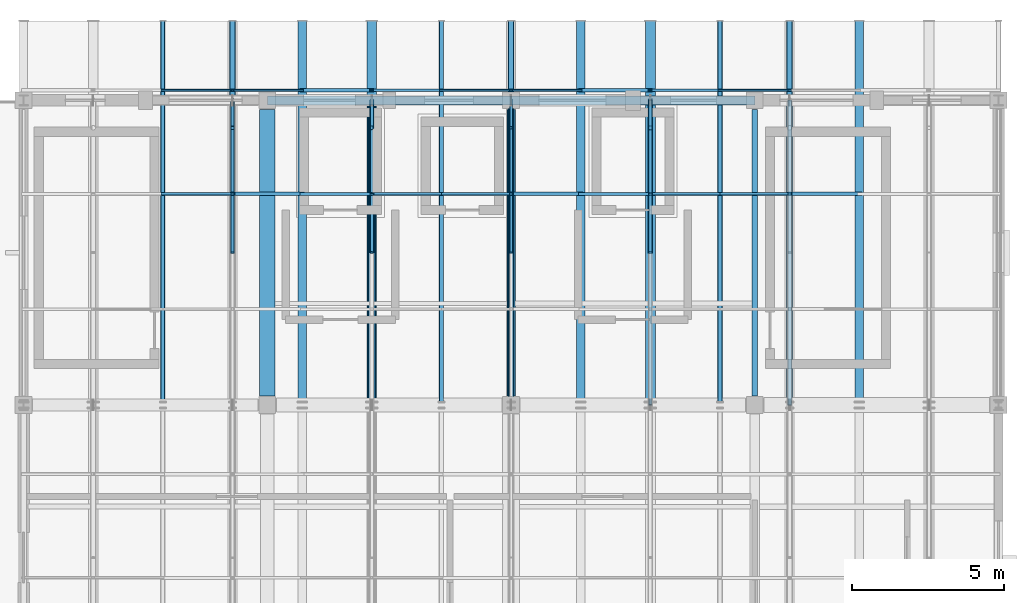
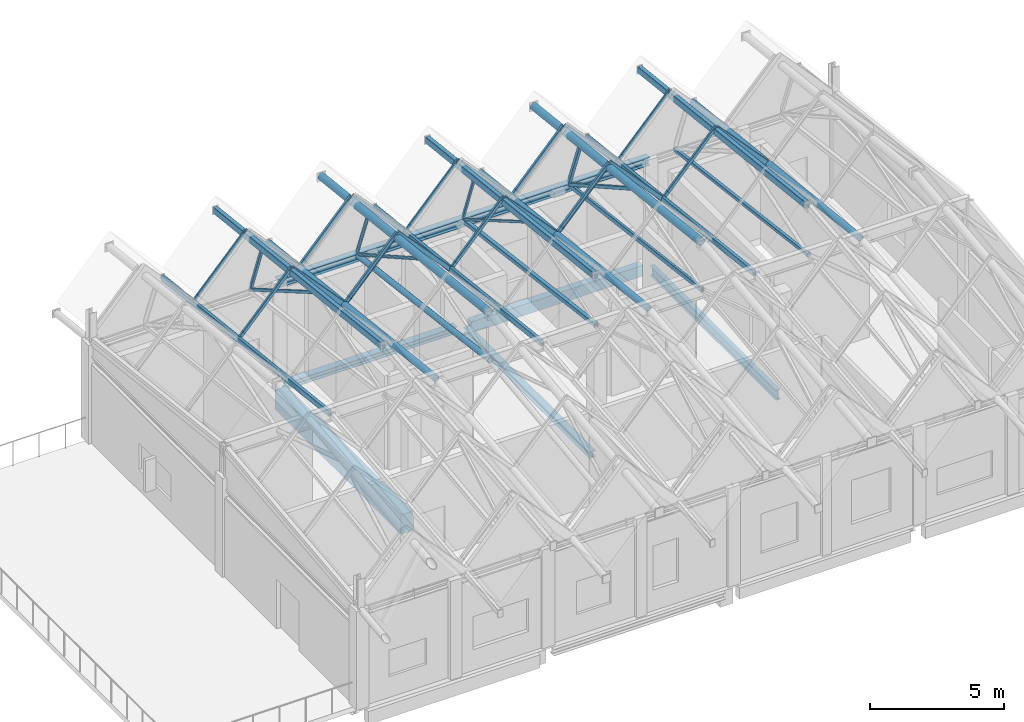
# One storey, part 4 of 15: 31 members, 18 beams.
"""IFC4 building model written with IfcOpenShell, lengths in metres."""

import ifcopenshell
import ifcopenshell.guid

model = None  # the IFC model being written
_history = None  # IfcOwnerHistory: only IFC2X3 demands one
_inside = {}  # id of a spatial element -> (the spatial element, [elements in it])
_under = {}  # id of a project, library or spatial element -> (it, [spatial elements below it])
_declared = {}  # id of a project -> (the project, [libraries it declares])
_typed = {}  # id of a type object -> (the type object, [elements of that type])
_made_of = {}  # id of a material, layer set ... -> (it, [elements and type objects made of it])


def new_model(schema):
    """Start an empty IFC model of exactly this schema.

    Asked for "IFC4X3", IfcOpenShell would pick the latest addendum, in which some entities
    have other attributes; the version numbers below select the first issue.
    IFC2X3 requires an IfcOwnerHistory on every rooted entity: one is made here for all.
    """
    global model, _history
    if schema == "IFC4X3":
        model = ifcopenshell.file(schema_version=(4, 3, 0, 0))
    else:
        model = ifcopenshell.file(schema=schema)
    _inside.clear()
    _under.clear()
    _declared.clear()
    _typed.clear()
    _made_of.clear()
    _history = None
    if model.schema == "IFC2X3":
        org = make("IfcOrganization", Name="unknown")
        user = make(
            "IfcPersonAndOrganization",
            ThePerson=make("IfcPerson", FamilyName="unknown"),
            TheOrganization=org,
        )
        app = make(
            "IfcApplication",
            ApplicationDeveloper=org,
            Version="unknown",
            ApplicationFullName="unknown",
            ApplicationIdentifier="unknown",
        )
        _history = make(
            "IfcOwnerHistory",
            OwningUser=user,
            OwningApplication=app,
            ChangeAction="ADDED",
            CreationDate=0,
        )
    return model


def make(cls, **values):
    """One entity of the class cls with the attributes given. An attribute that is None is left unset."""
    return model.create_entity(
        cls, **{name: value for name, value in values.items() if value is not None}
    )


def rooted(cls, **values):
    """An entity with a GlobalId (a new one), such as an element, a storey or a relation."""
    return make(cls, GlobalId=ifcopenshell.guid.new(), OwnerHistory=_history, **values)


def si_unit(unit_type, name, prefix=None):
    """IfcSIUnit, for example si_unit("LENGTHUNIT", "METRE", prefix="MILLI")."""
    return make("IfcSIUnit", UnitType=unit_type, Prefix=prefix, Name=name)


def assignment(units):
    """IfcUnitAssignment: the units of a project."""
    return None if units is None else make("IfcUnitAssignment", Units=units)


def point(xyz):
    """IfcCartesianPoint."""
    return None if xyz is None else make("IfcCartesianPoint", Coordinates=xyz)


def direction(xyz):
    """IfcDirection."""
    return None if xyz is None else make("IfcDirection", DirectionRatios=xyz)


def frame(location, z_axis=None, x_axis=None):
    """IfcAxis2Placement3D, a coordinate frame: its origin and axes. An axis left out is left unset."""
    return make(
        "IfcAxis2Placement3D",
        Location=point(location),
        Axis=direction(z_axis),
        RefDirection=direction(x_axis),
    )


def frame_2d(location, x_axis=None):
    """IfcAxis2Placement2D, a coordinate frame in the plane: its origin and x axis."""
    return make(
        "IfcAxis2Placement2D", Location=point(location), RefDirection=direction(x_axis)
    )


def origin():
    """The frame at (0, 0, 0) with its axes left unset."""
    return frame((0.0, 0.0, 0.0))


def origin_2d():
    """The frame at (0, 0) in the plane with its x axis left unset."""
    return frame_2d((0.0, 0.0))


def place(relative_to, where):
    """IfcLocalPlacement: puts the frame where relative to a parent placement (None: the world)."""
    return make(
        "IfcLocalPlacement", PlacementRelTo=relative_to, RelativePlacement=where
    )


def context(
    kind, dimensions, precision=None, world=None, true_north=None, identifier=None
):
    """IfcGeometricRepresentationContext, for example the 3D "Model" context."""
    return make(
        "IfcGeometricRepresentationContext",
        ContextIdentifier=identifier,
        ContextType=kind,
        CoordinateSpaceDimension=dimensions,
        Precision=precision,
        WorldCoordinateSystem=world,
        TrueNorth=true_north,
    )


def subcontext(parent, identifier, kind, view, scale=None):
    """IfcGeometricRepresentationSubContext, for example "Body" below "Model"."""
    return make(
        "IfcGeometricRepresentationSubContext",
        ContextIdentifier=identifier,
        ContextType=kind,
        ParentContext=parent,
        TargetScale=scale,
        TargetView=view,
    )


def project(units=None, contexts=None):
    """IfcProject with its units and contexts."""
    return rooted(
        "IfcProject",
        Name="project",
        RepresentationContexts=contexts,
        UnitsInContext=assignment(units),
    )


def spatial(cls, under=None, at=None, **own):
    """A site, building, storey or space (cls), placed at a placement, below another one or the project."""
    s = rooted(cls, ObjectPlacement=at, **own)
    if under is not None:
        _under.setdefault(under.id(), (under, []))[1].append(s)
    return s


def profile(cls, at=None, kind="AREA", **sizes):
    """A parametric profile (cls). Its sizes go by their IFC names, for example OverallWidth=200.0."""
    return make(cls, ProfileType=kind, Position=at, **sizes)


def rectangle(**sizes):
    """IfcRectangleProfileDef."""
    return profile("IfcRectangleProfileDef", **sizes)


def hollow_rectangle(**sizes):
    """IfcRectangleHollowProfileDef."""
    return profile("IfcRectangleHollowProfileDef", **sizes)


def hollow_circle(**sizes):
    """IfcCircleHollowProfileDef."""
    return profile("IfcCircleHollowProfileDef", **sizes)


def i_section(**sizes):
    """IfcIShapeProfileDef."""
    return profile("IfcIShapeProfileDef", **sizes)


def extrude(swept, where, along, depth):
    """IfcExtrudedAreaSolid: the profile swept, set in the frame where, extruded along a direction by depth."""
    return make(
        "IfcExtrudedAreaSolid",
        SweptArea=swept,
        Position=where,
        ExtrudedDirection=direction(along),
        Depth=depth,
    )


def shape(context_of_items, identifier, shape_type, items):
    """IfcShapeRepresentation: the items that make up one representation, for example the "Body"."""
    return make(
        "IfcShapeRepresentation",
        ContextOfItems=context_of_items,
        RepresentationIdentifier=identifier,
        RepresentationType=shape_type,
        Items=items,
    )


def material(Name=None, Category=None):
    """IfcMaterial."""
    return make("IfcMaterial", Name=Name, Category=Category)


def material_profile(
    of_material, cross_section, Name=None, Category=None, Priority=None
):
    """IfcMaterialProfile: a cross section and its material."""
    return make(
        "IfcMaterialProfile",
        Name=Name,
        Material=of_material,
        Profile=cross_section,
        Priority=Priority,
        Category=Category,
    )


def profile_set(profiles, Name=None, composite=None):
    """IfcMaterialProfileSet."""
    return make(
        "IfcMaterialProfileSet",
        Name=Name,
        MaterialProfiles=profiles,
        CompositeProfile=composite,
    )


def made_of(thing, what):
    """Note that an element or type object is made of a material, layer set ...; save() writes the relation."""
    if what is not None:
        _made_of.setdefault(what.id(), (what, []))[1].append(thing)
    return thing


def type_object(cls, material=None, **own):
    """A type object (cls), such as IfcWallType, which elements share."""
    return made_of(rooted(cls, **own), material)


def element(
    cls,
    number,
    at=None,
    inside=None,
    cuts=None,
    type_object=None,
    material=None,
    context=None,
    identifier="Body",
    shape_type=None,
    held_by="IfcProductDefinitionShape",
    body=None,
    shapes=None,
    **own,
):
    """One element of the class cls, such as IfcWall. Its Tag is "e" and its number.

    at: its placement. inside: the storey or other place that contains it. cuts: it is an
    opening in that element (IfcRelVoidsElement). A single representation is given by context,
    identifier, shape_type and body (its items); several are given by shapes. held_by: the class
    of the entity that holds the representations. save() writes the other relations.
    """
    e = rooted(cls, Tag="e%d" % number, ObjectPlacement=at, **own)
    if body is not None:
        shapes = [shape(context, identifier, shape_type, body)]
    if shapes is not None:
        e.Representation = make(held_by, Representations=shapes)
    if inside is not None:
        _inside.setdefault(inside.id(), (inside, []))[1].append(e)
    if cuts is not None:
        rooted(
            "IfcRelVoidsElement", RelatingBuildingElement=cuts, RelatedOpeningElement=e
        )
    if type_object is not None:
        _typed.setdefault(type_object.id(), (type_object, []))[1].append(e)
    return made_of(e, material)


def aggregate(whole, parts):
    """IfcRelAggregates: a whole, such as a stair, and the parts it consists of."""
    return rooted("IfcRelAggregates", RelatingObject=whole, RelatedObjects=parts)


def save(model, path):
    """Write the relations noted so far, then the file.

    IfcRelAggregates (storeys below a building ...), IfcRelContainedInSpatialStructure (elements
    in a storey), IfcRelDefinesByType, IfcRelAssociatesMaterial and IfcRelDeclares: one each for
    every whole, place, type object, material and project.
    """
    for whole, parts in _under.values():
        aggregate(whole, parts)
    for where, things in _inside.values():
        rooted(
            "IfcRelContainedInSpatialStructure",
            RelatedElements=things,
            RelatingStructure=where,
        )
    for kind, things in _typed.values():
        rooted("IfcRelDefinesByType", RelatedObjects=things, RelatingType=kind)
    for what, things in _made_of.values():
        rooted("IfcRelAssociatesMaterial", RelatedObjects=things, RelatingMaterial=what)
    for by, libraries in _declared.values():
        rooted("IfcRelDeclares", RelatingContext=by, RelatedDefinitions=libraries)
    model.write(path)


model = new_model("IFC4")

# Units and contexts
model_context = context("Model", 3, precision=1e-05, world=origin(), true_north=direction((0.0, 1.0)))
body_context = subcontext(model_context, "Body", "Model", "MODEL_VIEW")
ifc_project = project(units=[si_unit("LENGTHUNIT", "METRE"), si_unit("AREAUNIT", "SQUARE_METRE"), si_unit("VOLUMEUNIT", "CUBIC_METRE"), si_unit("PLANEANGLEUNIT", "RADIAN"), si_unit("MASSUNIT", "GRAM", prefix="KILO")], contexts=[model_context])

# Site, building, storey
site_placement = place(None, origin())
site = spatial("IfcSite", under=ifc_project, at=site_placement, CompositionType="ELEMENT")
building_placement = place(site_placement, origin())
building = spatial("IfcBuilding", under=site, at=building_placement, Name="Luwemba Playhouse", CompositionType="ELEMENT")
storey_placement = place(building_placement, frame((0.0, 0.0, 22.800048828125)))
storey = spatial("IfcBuildingStorey", under=building, at=storey_placement, Name="L05", CompositionType="ELEMENT", Elevation=22.800048828125)

# Beams
ifc_material_1 = material(Name="Concrete C40/50", Category="concrete")
ifc_material_profile_1 = material_profile(ifc_material_1, rectangle(XDim=0.5, YDim=0.89990234375, at=origin_2d()))
ifc_profile_set_1 = profile_set([ifc_material_profile_1], Name="Concrete C40/50")
beam_type_1 = type_object("IfcBeamType", Name="BM-RB07", PredefinedType="BEAM", material=ifc_profile_set_1)
beam_1_placement = place(storey_placement, frame((148.0, 105.300048828125, -0.75), z_axis=(0.0, 1.0, 0.0), x_axis=(-1.0, 0.0, 0.0)))
element("IfcBeam", 1, at=beam_1_placement, inside=storey, type_object=beam_type_1, Name="L05 transverse girder 0957", PredefinedType="BEAM", context=body_context, shape_type="SweptSolid", body=[
    extrude(rectangle(XDim=0.5, YDim=0.89990234375, at=origin_2d()), origin(), (0.0, 0.0, 1.0), 9.39990234375),
])
ifc_material_2 = material(Name="Steel S355", Category="steel")
ifc_material_profile_2 = material_profile(ifc_material_2, hollow_rectangle(XDim=0.14990234375, YDim=0.25, WallThickness=0.010009765625, InnerFilletRadius=0.014892578125, OuterFilletRadius=0.02490234375, at=origin_2d()))
ifc_profile_set_2 = profile_set([ifc_material_profile_2], Name="Steel S355")
beam_type_2 = type_object("IfcBeamType", Name="BM-RTG1", PredefinedType="USERDEFINED", material=ifc_profile_set_2)
for number, where, z_axis, x_axis, name in (
    (2, (144.5712890625, 105.110107421875, 5.557861328125), (0.0, 0.993768782613, -0.111461234087), (-1.0, 0.0, 0.0), "ROOF TRUSS valley girder 0415"),
    (3, (153.71435546875, 105.110107421875, 5.55810546875), (0.0, 0.993766630778, -0.111480417796), (-1.0, 0.0, 0.0), "ROOF TRUSS valley girder 0423"),
    (4, (162.857177734375, 105.110107421875, 5.557861328125), (0.0, 0.993768782613, -0.111461234087), (-1.0, 0.0, 0.0), "ROOF TRUSS valley girder 0431"),
):
    element("IfcBeam", number, at=place(storey_placement, frame(where, z_axis=z_axis, x_axis=x_axis)), inside=storey, type_object=beam_type_2, Name=name, ObjectType="ROOF TRUSS", PredefinedType="USERDEFINED", context=body_context, shape_type="SweptSolid", body=[
        extrude(hollow_rectangle(XDim=0.14990234375, YDim=0.25, WallThickness=0.010009765625, InnerFilletRadius=0.014892578125, OuterFilletRadius=0.02490234375, at=origin_2d()), origin(), (0.0, 0.0, 1.0), 12.568359375),
    ])
ifc_material_profile_3 = material_profile(ifc_material_2, hollow_rectangle(XDim=0.199951171875, YDim=0.300048828125, WallThickness=0.012451171875, InnerFilletRadius=0.018798828125, OuterFilletRadius=0.03125, at=origin_2d()))
ifc_profile_set_3 = profile_set([ifc_material_profile_3], Name="Steel S355")
beam_type_3 = type_object("IfcBeamType", Name="BM-RTG2", PredefinedType="USERDEFINED", material=ifc_profile_set_3)
for number, where, z_axis, x_axis, name in (
    (5, (146.857177734375, 105.110107421875, 7.849609375), (0.0, 0.993766630778, -0.111480417796), (-1.0, 0.0, 0.0), "ROOF TRUSS ridge girder 0417"),
    (6, (156.0, 105.110107421875, 7.849609375), (0.0, 0.993766630778, -0.111480417796), (-1.0, 0.0, 0.0), "ROOF TRUSS ridge girder 0425"),
    (7, (165.142822265625, 105.110107421875, 7.849365234375), (0.0, 0.993768782613, -0.111461234087), (-1.0, 0.0, 0.0), "ROOF TRUSS ridge girder 0433"),
):
    element("IfcBeam", number, at=place(storey_placement, frame(where, z_axis=z_axis, x_axis=x_axis)), inside=storey, type_object=beam_type_3, Name=name, ObjectType="ROOF TRUSS", PredefinedType="USERDEFINED", context=body_context, shape_type="SweptSolid", body=[
        extrude(hollow_rectangle(XDim=0.199951171875, YDim=0.300048828125, WallThickness=0.012451171875, InnerFilletRadius=0.018798828125, OuterFilletRadius=0.03125, at=origin_2d()), origin(), (0.0, 0.0, 1.0), 12.568359375),
    ])
ifc_material_profile_4 = material_profile(ifc_material_2, hollow_circle(Radius=0.136474609375, WallThickness=0.012451171875, at=origin_2d()))
ifc_profile_set_4 = profile_set([ifc_material_profile_4], Name="Steel S355")
beam_type_4 = type_object("IfcBeamType", Name="BM-RTG3", PredefinedType="USERDEFINED", material=ifc_profile_set_4)
for number, where, z_axis, x_axis, name in (
    (8, (149.142822265625, 105.110107421875, 5.546630859375), (0.0, 0.993766630778, -0.111480417796), (-1.0, 0.0, 0.0), "ROOF TRUSS valley girder 0419"),
    (9, (158.28564453125, 105.110107421875, 5.546630859375), (0.0, 0.993766630778, -0.111480417796), (-1.0, 0.0, 0.0), "ROOF TRUSS valley girder 0427"),
    (10, (167.4287109375, 105.110107421875, 5.546630859375), (0.0, 0.993766630778, -0.111480417796), (-1.0, 0.0, 0.0), "ROOF TRUSS valley girder 0435"),
):
    element("IfcBeam", number, at=place(storey_placement, frame(where, z_axis=z_axis, x_axis=x_axis)), inside=storey, type_object=beam_type_4, Name=name, ObjectType="ROOF TRUSS", PredefinedType="USERDEFINED", context=body_context, shape_type="SweptSolid", body=[
        extrude(hollow_circle(Radius=0.136474609375, WallThickness=0.012451171875, at=origin_2d()), origin(), (0.0, 0.0, 1.0), 12.568359375),
    ])
ifc_material_profile_5 = material_profile(ifc_material_2, hollow_circle(Radius=0.161865234375, WallThickness=0.01611328125, at=origin_2d()))
ifc_profile_set_5 = profile_set([ifc_material_profile_5], Name="Steel S355")
beam_type_5 = type_object("IfcBeamType", Name="BM-RTG4", PredefinedType="USERDEFINED", material=ifc_profile_set_5)
for number, where, z_axis, x_axis, name in (
    (11, (151.4287109375, 105.110107421875, 7.770263671875), (0.0, 0.993768782613, -0.111461234087), (-1.0, 0.0, 0.0), "ROOF TRUSS ridge girder 0421"),
    (12, (160.5712890625, 105.110107421875, 7.7705078125), (0.0, 0.993766630778, -0.111480417796), (-1.0, 0.0, 0.0), "ROOF TRUSS ridge girder 0429"),
):
    element("IfcBeam", number, at=place(storey_placement, frame(where, z_axis=z_axis, x_axis=x_axis)), inside=storey, type_object=beam_type_5, Name=name, ObjectType="ROOF TRUSS", PredefinedType="USERDEFINED", context=body_context, shape_type="SweptSolid", body=[
        extrude(hollow_circle(Radius=0.161865234375, WallThickness=0.01611328125, at=origin_2d()), origin(), (0.0, 0.0, 1.0), 12.568359375),
    ])
ifc_material_profile_6 = material_profile(ifc_material_2, i_section(OverallWidth=0.280029296875, OverallDepth=0.27001953125, WebThickness=0.008056640625, FlangeThickness=0.012939453125, FilletRadius=0.02392578125, at=origin_2d()))
ifc_profile_set_6 = profile_set([ifc_material_profile_6], Name="Steel S355")
beam_type_6 = type_object("IfcBeamType", Name="BM-SB02", PredefinedType="BEAM", material=ifc_profile_set_6)
beam_2_placement = place(storey_placement, frame((156.0, 105.300048828125, -0.43505859375), z_axis=(0.0, 1.0, 0.0), x_axis=(-1.0, 0.0, 0.0)))
element("IfcBeam", 13, at=beam_2_placement, inside=storey, type_object=beam_type_6, Name="L05 transverse girder 0959", PredefinedType="BEAM", context=body_context, shape_type="SweptSolid", body=[
    extrude(i_section(OverallWidth=0.280029296875, OverallDepth=0.27001953125, WebThickness=0.008056640625, FlangeThickness=0.012939453125, FilletRadius=0.02392578125, at=origin_2d()), origin(), (0.0, 0.0, 1.0), 9.39990234375),
])
ifc_material_profile_7 = material_profile(ifc_material_2, i_section(OverallWidth=0.18994140625, OverallDepth=0.449951171875, WebThickness=0.009521484375, FlangeThickness=0.0146484375, FilletRadius=0.02099609375, at=origin_2d()))
ifc_profile_set_7 = profile_set([ifc_material_profile_7], Name="Steel S355")
beam_type_7 = type_object("IfcBeamType", Name="BM-SB06", PredefinedType="BEAM", material=ifc_profile_set_7)
beam_3_placement = place(storey_placement, frame((164.0, 105.300048828125, -0.525146484375), z_axis=(0.0, 1.0, 0.0), x_axis=(-1.0, 0.0, 0.0)))
element("IfcBeam", 14, at=beam_3_placement, inside=storey, type_object=beam_type_7, Name="L05 transverse girder 0961", PredefinedType="BEAM", context=body_context, shape_type="SweptSolid", body=[
    extrude(i_section(OverallWidth=0.18994140625, OverallDepth=0.449951171875, WebThickness=0.009521484375, FlangeThickness=0.0146484375, FilletRadius=0.02099609375, at=origin_2d()), origin(), (0.0, 0.0, 1.0), 9.39990234375),
])
ifc_material_profile_8 = material_profile(ifc_material_2, i_section(OverallWidth=0.300048828125, OverallDepth=0.360107421875, WebThickness=0.012451171875, FlangeThickness=0.0224609375, FilletRadius=0.027099609375, at=origin_2d()))
ifc_profile_set_8 = profile_set([ifc_material_profile_8], Name="Steel S355")
beam_type_8 = type_object("IfcBeamType", Name="BM-SB09", PredefinedType="BEAM", material=ifc_profile_set_8)
for number, where, z_axis, x_axis, name in (
    (15, (148.0, 115.0, 4.320068359375), (1.0, 0.0, 0.0), (0.0, 1.0, 0.0), "RF-V6E eave ring beam 0400"),
    (16, (156.0, 115.0, 4.320068359375), (1.0, 0.0, 0.0), (0.0, 1.0, 0.0), "RF-V6E eave ring beam 0401"),
):
    element("IfcBeam", number, at=place(storey_placement, frame(where, z_axis=z_axis, x_axis=x_axis)), inside=storey, type_object=beam_type_8, Name=name, PredefinedType="BEAM", context=body_context, shape_type="SweptSolid", body=[
        extrude(i_section(OverallWidth=0.300048828125, OverallDepth=0.360107421875, WebThickness=0.012451171875, FlangeThickness=0.0224609375, FilletRadius=0.027099609375, at=origin_2d()), origin(), (0.0, 0.0, 1.0), 8.0),
    ])
ifc_material_profile_9 = material_profile(ifc_material_1, rectangle(XDim=0.300048828125, YDim=0.5, at=origin_2d()))
ifc_profile_set_9 = profile_set([ifc_material_profile_9], Name="Concrete C40/50")
beam_type_9 = type_object("IfcBeamType", Name="BM-SP1", PredefinedType="SPANDREL", material=ifc_profile_set_9)
beam_4_placement = place(storey_placement, frame((156.300048828125, 115.0, -0.550048828125), z_axis=(1.0, 0.0, 0.0), x_axis=(0.0, 1.0, 0.0)))
element("IfcBeam", 17, at=beam_4_placement, inside=storey, type_object=beam_type_9, Name="L05 grid girder 0952", PredefinedType="SPANDREL", context=body_context, shape_type="SweptSolid", body=[
    extrude(rectangle(XDim=0.300048828125, YDim=0.5, at=origin_2d()), origin(), (0.0, 0.0, 1.0), 7.39990234375),
])
ifc_material_profile_10 = material_profile(ifc_material_2, i_section(OverallWidth=0.300048828125, OverallDepth=0.300048828125, WebThickness=0.010986328125, FlangeThickness=0.01904296875, FilletRadius=0.027099609375, at=origin_2d()))
ifc_profile_set_10 = profile_set([ifc_material_profile_10], Name="Steel S355")
beam_type_10 = type_object("IfcBeamType", Name="BM-SSP1", PredefinedType="SPANDREL", material=ifc_profile_set_10)
beam_5_placement = place(storey_placement, frame((148.300048828125, 115.0, -0.449951171875), z_axis=(1.0, 0.0, 0.0), x_axis=(0.0, 1.0, 0.0)))
element("IfcBeam", 18, at=beam_5_placement, inside=storey, type_object=beam_type_10, Name="L05 grid girder 0951", PredefinedType="SPANDREL", context=body_context, shape_type="SweptSolid", body=[
    extrude(i_section(OverallWidth=0.300048828125, OverallDepth=0.300048828125, WebThickness=0.010986328125, FlangeThickness=0.01904296875, FilletRadius=0.027099609375, at=origin_2d()), origin(), (0.0, 0.0, 1.0), 7.39990234375),
])

# Members
ifc_material_profile_11 = material_profile(ifc_material_2, hollow_circle(Radius=0.06982421875, WallThickness=0.008056640625, at=origin_2d()))
ifc_profile_set_11 = profile_set([ifc_material_profile_11], Name="Steel S355")
member_type_1 = type_object("IfcMemberType", Name="MEM-MB01", PredefinedType="BRACE", material=ifc_profile_set_11)
member_1_placement = place(storey_placement, frame((151.4287109375, 115.0, 4.39990234375), z_axis=(0.0, -0.870865998229, 0.491520511403), x_axis=(1.0, 0.0, 0.0)))
element("IfcMember", 19, at=member_1_placement, inside=storey, type_object=member_type_1, Name="ROOF TRUSS web diagonal 0366", PredefinedType="BRACE", context=body_context, shape_type="SweptSolid", body=[
    extrude(hollow_circle(Radius=0.06982421875, WallThickness=0.008056640625, at=origin_2d()), origin(), (0.0, 0.0, 1.0), 5.741455078125),
])
member_2_placement = place(storey_placement, frame((151.4287109375, 115.0, 4.39990234375), z_axis=(0.0, -0.356019426391, 0.934478554078), x_axis=(1.0, 0.0, 0.0)))
element("IfcMember", 20, at=member_2_placement, inside=storey, type_object=member_type_1, Name="ROOF TRUSS eave knee strut 0105", PredefinedType="BRACE", context=body_context, shape_type="SweptSolid", body=[
    extrude(hollow_circle(Radius=0.06982421875, WallThickness=0.008056640625, at=origin_2d()), origin(), (0.0, 0.0, 1.0), 2.527587890625),
])
ifc_material_profile_12 = material_profile(ifc_material_2, hollow_rectangle(XDim=0.10009765625, YDim=0.10009765625, WallThickness=0.00634765625, InnerFilletRadius=0.009521484375, OuterFilletRadius=0.015869140625, at=origin_2d()))
ifc_profile_set_12 = profile_set([ifc_material_profile_12], Name="Steel S355")
member_type_2 = type_object("IfcMemberType", Name="MEM-MB05", PredefinedType="BRACE", material=ifc_profile_set_12)
member_3_placement = place(storey_placement, frame((156.0, 115.0, 4.39990234375), z_axis=(0.0, -0.864946861272, 0.501863454712), x_axis=(1.0, 0.0, 0.0)))
element("IfcMember", 21, at=member_3_placement, inside=storey, type_object=member_type_2, Name="ROOF TRUSS web diagonal 0372", PredefinedType="BRACE", context=body_context, shape_type="SweptSolid", body=[
    extrude(hollow_rectangle(XDim=0.10009765625, YDim=0.10009765625, WallThickness=0.00634765625, InnerFilletRadius=0.009521484375, OuterFilletRadius=0.015869140625, at=origin_2d()), origin(), (0.0, 0.0, 1.0), 5.78076171875),
])
member_4_placement = place(storey_placement, frame((156.0, 115.0, 4.39990234375), z_axis=(0.0, -0.345883643125, 0.938277413891), x_axis=(1.0, 0.0, 0.0)))
element("IfcMember", 22, at=member_4_placement, inside=storey, type_object=member_type_2, Name="ROOF TRUSS eave knee strut 0107", PredefinedType="BRACE", context=body_context, shape_type="SweptSolid", body=[
    extrude(hollow_rectangle(XDim=0.10009765625, YDim=0.10009765625, WallThickness=0.00634765625, InnerFilletRadius=0.009521484375, OuterFilletRadius=0.015869140625, at=origin_2d()), origin(), (0.0, 0.0, 1.0), 2.601806640625),
])
ifc_material_profile_13 = material_profile(ifc_material_2, hollow_rectangle(XDim=0.1201171875, YDim=0.1201171875, WallThickness=0.008056640625, InnerFilletRadius=0.011962890625, OuterFilletRadius=0.02001953125, at=origin_2d()))
ifc_profile_set_13 = profile_set([ifc_material_profile_13], Name="Steel S355")
member_type_3 = type_object("IfcMemberType", Name="MEM-MB06", PredefinedType="BRACE", material=ifc_profile_set_13)
member_5_placement = place(storey_placement, frame((146.857177734375, 115.0, 4.39990234375), z_axis=(0.0, -0.864946861272, 0.501863454712), x_axis=(1.0, 0.0, 0.0)))
element("IfcMember", 23, at=member_5_placement, inside=storey, type_object=member_type_3, Name="ROOF TRUSS web diagonal 0360", PredefinedType="BRACE", context=body_context, shape_type="SweptSolid", body=[
    extrude(hollow_rectangle(XDim=0.1201171875, YDim=0.1201171875, WallThickness=0.008056640625, InnerFilletRadius=0.011962890625, OuterFilletRadius=0.02001953125, at=origin_2d()), origin(), (0.0, 0.0, 1.0), 5.78076171875),
])
member_6_placement = place(storey_placement, frame((146.857177734375, 115.0, 4.39990234375), z_axis=(0.0, -0.345883643125, 0.938277413891), x_axis=(1.0, 0.0, 0.0)))
element("IfcMember", 24, at=member_6_placement, inside=storey, type_object=member_type_3, Name="ROOF TRUSS eave knee strut 0103", PredefinedType="BRACE", context=body_context, shape_type="SweptSolid", body=[
    extrude(hollow_rectangle(XDim=0.1201171875, YDim=0.1201171875, WallThickness=0.008056640625, InnerFilletRadius=0.011962890625, OuterFilletRadius=0.02001953125, at=origin_2d()), origin(), (0.0, 0.0, 1.0), 2.601806640625),
])
ifc_material_profile_14 = material_profile(ifc_material_2, hollow_rectangle(XDim=0.139892578125, YDim=0.139892578125, WallThickness=0.008056640625, InnerFilletRadius=0.011962890625, OuterFilletRadius=0.02001953125, at=origin_2d()))
ifc_profile_set_14 = profile_set([ifc_material_profile_14], Name="Steel S355")
member_type_4 = type_object("IfcMemberType", Name="MEM-MB07", PredefinedType="BRACE", material=ifc_profile_set_14)
member_7_placement = place(storey_placement, frame((160.5712890625, 115.0, 4.39990234375), z_axis=(0.0, -0.870865998229, 0.491520511403), x_axis=(1.0, 0.0, 0.0)))
element("IfcMember", 25, at=member_7_placement, inside=storey, type_object=member_type_4, Name="ROOF TRUSS web diagonal 0378", PredefinedType="BRACE", context=body_context, shape_type="SweptSolid", body=[
    extrude(hollow_rectangle(XDim=0.139892578125, YDim=0.139892578125, WallThickness=0.008056640625, InnerFilletRadius=0.011962890625, OuterFilletRadius=0.02001953125, at=origin_2d()), origin(), (0.0, 0.0, 1.0), 5.741455078125),
])
member_8_placement = place(storey_placement, frame((160.5712890625, 115.0, 4.39990234375), z_axis=(0.0, -0.356019426391, 0.934478554078), x_axis=(1.0, 0.0, 0.0)))
element("IfcMember", 26, at=member_8_placement, inside=storey, type_object=member_type_4, Name="ROOF TRUSS eave knee strut 0109", PredefinedType="BRACE", context=body_context, shape_type="SweptSolid", body=[
    extrude(hollow_rectangle(XDim=0.139892578125, YDim=0.139892578125, WallThickness=0.008056640625, InnerFilletRadius=0.011962890625, OuterFilletRadius=0.02001953125, at=origin_2d()), origin(), (0.0, 0.0, 1.0), 2.527587890625),
])
ifc_material_profile_15 = material_profile(ifc_material_2, hollow_circle(Radius=0.122314453125, WallThickness=0.012451171875, at=origin_2d()))
ifc_profile_set_15 = profile_set([ifc_material_profile_15], Name="Steel S355")
member_type_5 = type_object("IfcMemberType", Name="MEM-MC01", PredefinedType="CHORD", material=ifc_profile_set_15)
member_9_placement = place(storey_placement, frame((151.4287109375, 105.0, 5.6416015625), z_axis=(0.0, 0.992378930096, -0.12322361422), x_axis=(-1.0, 0.0, 0.0)))
element("IfcMember", 27, at=member_9_placement, inside=storey, type_object=member_type_5, Name="ROOF TRUSS north bottom chord 0362", PredefinedType="CHORD", context=body_context, shape_type="SweptSolid", body=[
    extrude(hollow_circle(Radius=0.122314453125, WallThickness=0.012451171875, at=origin_2d()), origin(), (0.0, 0.0, 1.0), 10.076904296875),
])
ifc_material_profile_16 = material_profile(ifc_material_2, hollow_rectangle(XDim=0.14990234375, YDim=0.14990234375, WallThickness=0.010009765625, InnerFilletRadius=0.014892578125, OuterFilletRadius=0.02490234375, at=origin_2d()))
ifc_profile_set_16 = profile_set([ifc_material_profile_16], Name="Steel S355")
member_type_6 = type_object("IfcMemberType", Name="MEM-MC02", PredefinedType="CHORD", material=ifc_profile_set_16)
member_10_placement = place(storey_placement, frame((165.142822265625, 105.0, 5.6416015625), z_axis=(0.0, 0.992378930096, -0.12322361422), x_axis=(-1.0, 0.0, 0.0)))
element("IfcMember", 28, at=member_10_placement, inside=storey, type_object=member_type_6, Name="ROOF TRUSS north bottom chord 0380", PredefinedType="CHORD", context=body_context, shape_type="SweptSolid", body=[
    extrude(hollow_rectangle(XDim=0.14990234375, YDim=0.14990234375, WallThickness=0.010009765625, InnerFilletRadius=0.014892578125, OuterFilletRadius=0.02490234375, at=origin_2d()), origin(), (0.0, 0.0, 1.0), 10.076904296875),
])
ifc_material_profile_17 = material_profile(ifc_material_2, hollow_rectangle(XDim=0.179931640625, YDim=0.179931640625, WallThickness=0.010009765625, InnerFilletRadius=0.014892578125, OuterFilletRadius=0.02490234375, at=origin_2d()))
ifc_profile_set_17 = profile_set([ifc_material_profile_17], Name="Steel S355")
member_type_7 = type_object("IfcMemberType", Name="MEM-MC03", PredefinedType="CHORD", material=ifc_profile_set_17)
member_11_placement = place(storey_placement, frame((156.0, 105.0, 5.6416015625), z_axis=(0.0, 0.992378930096, -0.12322361422), x_axis=(-1.0, 0.0, 0.0)))
element("IfcMember", 29, at=member_11_placement, inside=storey, type_object=member_type_7, Name="ROOF TRUSS north bottom chord 0368", PredefinedType="CHORD", context=body_context, shape_type="SweptSolid", body=[
    extrude(hollow_rectangle(XDim=0.179931640625, YDim=0.179931640625, WallThickness=0.010009765625, InnerFilletRadius=0.014892578125, OuterFilletRadius=0.02490234375, at=origin_2d()), origin(), (0.0, 0.0, 1.0), 10.076904296875),
])
ifc_material_profile_18 = material_profile(ifc_material_2, hollow_rectangle(XDim=0.1201171875, YDim=0.199951171875, WallThickness=0.010009765625, InnerFilletRadius=0.014892578125, OuterFilletRadius=0.02490234375, at=origin_2d()))
ifc_profile_set_18 = profile_set([ifc_material_profile_18], Name="Steel S355")
member_type_8 = type_object("IfcMemberType", Name="MEM-MC05", PredefinedType="CHORD", material=ifc_profile_set_18)
member_12_placement = place(storey_placement, frame((160.5712890625, 105.0, 5.6416015625), z_axis=(0.0, 0.992378930096, -0.12322361422), x_axis=(-1.0, 0.0, 0.0)))
element("IfcMember", 30, at=member_12_placement, inside=storey, type_object=member_type_8, Name="ROOF TRUSS north bottom chord 0374", PredefinedType="CHORD", context=body_context, shape_type="SweptSolid", body=[
    extrude(hollow_rectangle(XDim=0.1201171875, YDim=0.199951171875, WallThickness=0.010009765625, InnerFilletRadius=0.014892578125, OuterFilletRadius=0.02490234375, at=origin_2d()), origin(), (0.0, 0.0, 1.0), 10.076904296875),
])
ifc_material_profile_19 = material_profile(ifc_material_2, hollow_rectangle(XDim=0.080078125, YDim=0.1201171875, WallThickness=0.00634765625, InnerFilletRadius=0.009521484375, OuterFilletRadius=0.015869140625, at=origin_2d()))
ifc_profile_set_19 = profile_set([ifc_material_profile_19], Name="Steel S355")
member_type_9 = type_object("IfcMemberType", Name="MEM-MP01", PredefinedType="PURLIN", material=ifc_profile_set_19)
member_13_placement = place(storey_placement, frame((146.857177734375, 115.33203125, 6.91650390625), z_axis=(0.677925133331, 0.0, -0.735130949966), x_axis=(0.0, 1.0, 0.0)))
element("IfcMember", 31, at=member_13_placement, inside=storey, type_object=member_type_9, Name="Pleated roof purlin 0720", PredefinedType="PURLIN", context=body_context, shape_type="SweptSolid", body=[
    extrude(hollow_rectangle(XDim=0.080078125, YDim=0.1201171875, WallThickness=0.00634765625, InnerFilletRadius=0.009521484375, OuterFilletRadius=0.015869140625, at=origin_2d()), origin(), (0.0, 0.0, 1.0), 3.37158203125),
])
member_14_placement = place(storey_placement, frame((156.0, 115.33203125, 6.916259765625), z_axis=(0.677961222164, 0.0, -0.735097667825), x_axis=(0.0, 1.0, 0.0)))
element("IfcMember", 32, at=member_14_placement, inside=storey, type_object=member_type_9, Name="Pleated roof purlin 0744", PredefinedType="PURLIN", context=body_context, shape_type="SweptSolid", body=[
    extrude(hollow_rectangle(XDim=0.080078125, YDim=0.1201171875, WallThickness=0.00634765625, InnerFilletRadius=0.009521484375, OuterFilletRadius=0.015869140625, at=origin_2d()), origin(), (0.0, 0.0, 1.0), 3.371337890625),
])
ifc_material_profile_20 = material_profile(ifc_material_2, hollow_rectangle(XDim=0.10009765625, YDim=0.14990234375, WallThickness=0.008056640625, InnerFilletRadius=0.011962890625, OuterFilletRadius=0.02001953125, at=origin_2d()))
ifc_profile_set_20 = profile_set([ifc_material_profile_20], Name="Steel S355")
member_type_10 = type_object("IfcMemberType", Name="MEM-MP02", PredefinedType="PURLIN", material=ifc_profile_set_20)
for number, where, z_axis, x_axis, name in (
    (33, (144.5712890625, 111.929931640625, 4.7939453125), (0.678036440344, 0.0, 0.735028288956), (0.0, 1.0, 0.0), "Pleated roof purlin 0713"),
    (34, (153.71435546875, 111.929931640625, 4.7939453125), (0.677961222164, 0.0, 0.735097667825), (0.0, 1.0, 0.0), "Pleated roof purlin 0737"),
):
    element("IfcMember", number, at=place(storey_placement, frame(where, z_axis=z_axis, x_axis=x_axis)), inside=storey, type_object=member_type_10, Name=name, PredefinedType="PURLIN", context=body_context, shape_type="SweptSolid", body=[
        extrude(hollow_rectangle(XDim=0.10009765625, YDim=0.14990234375, WallThickness=0.008056640625, InnerFilletRadius=0.011962890625, OuterFilletRadius=0.02001953125, at=origin_2d()), origin(), (0.0, 0.0, 1.0), 3.371337890625),
    ])
member_15_placement = place(storey_placement, frame((162.857177734375, 111.929931640625, 4.793701171875), z_axis=(0.677925133331, 0.0, 0.735130949966), x_axis=(0.0, 1.0, 0.0)))
element("IfcMember", 35, at=member_15_placement, inside=storey, type_object=member_type_10, Name="Pleated roof purlin 0761", PredefinedType="PURLIN", context=body_context, shape_type="SweptSolid", body=[
    extrude(hollow_rectangle(XDim=0.10009765625, YDim=0.14990234375, WallThickness=0.008056640625, InnerFilletRadius=0.011962890625, OuterFilletRadius=0.02001953125, at=origin_2d()), origin(), (0.0, 0.0, 1.0), 3.37158203125),
])
ifc_material_profile_21 = material_profile(ifc_material_2, hollow_rectangle(XDim=0.080078125, YDim=0.159912109375, WallThickness=0.00634765625, InnerFilletRadius=0.009521484375, OuterFilletRadius=0.015869140625, at=origin_2d()))
ifc_profile_set_21 = profile_set([ifc_material_profile_21], Name="Steel S355")
member_type_11 = type_object("IfcMemberType", Name="MEM-MP03", PredefinedType="PURLIN", material=ifc_profile_set_21)
member_16_placement = place(storey_placement, frame((144.5712890625, 115.33203125, 4.41796875), z_axis=(0.678000350765, 0.0, 0.73506157862), x_axis=(0.0, 1.0, 0.0)))
element("IfcMember", 36, at=member_16_placement, inside=storey, type_object=member_type_11, Name="Pleated roof purlin 0714", PredefinedType="PURLIN", context=body_context, shape_type="SweptSolid", body=[
    extrude(hollow_rectangle(XDim=0.080078125, YDim=0.159912109375, WallThickness=0.00634765625, InnerFilletRadius=0.009521484375, OuterFilletRadius=0.015869140625, at=origin_2d()), origin(), (0.0, 0.0, 1.0), 3.37158203125),
])
member_17_placement = place(storey_placement, frame((153.71435546875, 115.33203125, 4.41796875), z_axis=(0.677961222164, 0.0, 0.735097667825), x_axis=(0.0, 1.0, 0.0)))
element("IfcMember", 37, at=member_17_placement, inside=storey, type_object=member_type_11, Name="Pleated roof purlin 0738", PredefinedType="PURLIN", context=body_context, shape_type="SweptSolid", body=[
    extrude(hollow_rectangle(XDim=0.080078125, YDim=0.159912109375, WallThickness=0.00634765625, InnerFilletRadius=0.009521484375, OuterFilletRadius=0.015869140625, at=origin_2d()), origin(), (0.0, 0.0, 1.0), 3.371337890625),
])
member_18_placement = place(storey_placement, frame((162.857177734375, 115.33203125, 4.41796875), z_axis=(0.677925133331, 0.0, 0.735130949966), x_axis=(0.0, 1.0, 0.0)))
element("IfcMember", 38, at=member_18_placement, inside=storey, type_object=member_type_11, Name="Pleated roof purlin 0762", PredefinedType="PURLIN", context=body_context, shape_type="SweptSolid", body=[
    extrude(hollow_rectangle(XDim=0.080078125, YDim=0.159912109375, WallThickness=0.00634765625, InnerFilletRadius=0.009521484375, OuterFilletRadius=0.015869140625, at=origin_2d()), origin(), (0.0, 0.0, 1.0), 3.37158203125),
])
ifc_material_profile_22 = material_profile(ifc_material_2, hollow_rectangle(XDim=0.10009765625, YDim=0.179931640625, WallThickness=0.008056640625, InnerFilletRadius=0.011962890625, OuterFilletRadius=0.02001953125, at=origin_2d()))
ifc_profile_set_22 = profile_set([ifc_material_profile_22], Name="Steel S355")
member_type_12 = type_object("IfcMemberType", Name="MEM-MP04", PredefinedType="PURLIN", material=ifc_profile_set_22)
member_19_placement = place(storey_placement, frame((151.4287109375, 111.929931640625, 7.257080078125), z_axis=(0.677961222164, 0.0, -0.735097667825), x_axis=(0.0, 1.0, 0.0)))
element("IfcMember", 39, at=member_19_placement, inside=storey, type_object=member_type_12, Name="Pleated roof purlin 0731", PredefinedType="PURLIN", context=body_context, shape_type="SweptSolid", body=[
    extrude(hollow_rectangle(XDim=0.10009765625, YDim=0.179931640625, WallThickness=0.008056640625, InnerFilletRadius=0.011962890625, OuterFilletRadius=0.02001953125, at=origin_2d()), origin(), (0.0, 0.0, 1.0), 3.371337890625),
])
member_20_placement = place(storey_placement, frame((160.5712890625, 111.929931640625, 7.257080078125), z_axis=(0.678000350765, 0.0, -0.73506157862), x_axis=(0.0, 1.0, 0.0)))
element("IfcMember", 40, at=member_20_placement, inside=storey, type_object=member_type_12, Name="Pleated roof purlin 0755", PredefinedType="PURLIN", context=body_context, shape_type="SweptSolid", body=[
    extrude(hollow_rectangle(XDim=0.10009765625, YDim=0.179931640625, WallThickness=0.008056640625, InnerFilletRadius=0.011962890625, OuterFilletRadius=0.02001953125, at=origin_2d()), origin(), (0.0, 0.0, 1.0), 3.37158203125),
])
ifc_material_profile_23 = material_profile(ifc_material_2, i_section(OverallWidth=0.08203125, OverallDepth=0.159912109375, WebThickness=0.0048828125, FlangeThickness=0.00732421875, FilletRadius=0.009033203125, at=origin_2d()))
ifc_profile_set_23 = profile_set([ifc_material_profile_23], Name="Steel S355")
member_type_13 = type_object("IfcMemberType", Name="MEM-MP05", PredefinedType="PURLIN", material=ifc_profile_set_23)
member_21_placement = place(storey_placement, frame((151.4287109375, 115.33203125, 6.895263671875), z_axis=(0.677961222164, 0.0, -0.735097667825), x_axis=(0.0, 1.0, 0.0)))
element("IfcMember", 41, at=member_21_placement, inside=storey, type_object=member_type_13, Name="Pleated roof purlin 0732", PredefinedType="PURLIN", context=body_context, shape_type="SweptSolid", body=[
    extrude(i_section(OverallWidth=0.08203125, OverallDepth=0.159912109375, WebThickness=0.0048828125, FlangeThickness=0.00732421875, FilletRadius=0.009033203125, at=origin_2d()), origin(), (0.0, 0.0, 1.0), 3.371337890625),
])
member_22_placement = place(storey_placement, frame((160.5712890625, 115.33203125, 6.895263671875), z_axis=(0.678000350765, 0.0, -0.73506157862), x_axis=(0.0, 1.0, 0.0)))
element("IfcMember", 42, at=member_22_placement, inside=storey, type_object=member_type_13, Name="Pleated roof purlin 0756", PredefinedType="PURLIN", context=body_context, shape_type="SweptSolid", body=[
    extrude(i_section(OverallWidth=0.08203125, OverallDepth=0.159912109375, WebThickness=0.0048828125, FlangeThickness=0.00732421875, FilletRadius=0.009033203125, at=origin_2d()), origin(), (0.0, 0.0, 1.0), 3.37158203125),
])
ifc_material_profile_24 = material_profile(ifc_material_2, i_section(OverallWidth=0.091064453125, OverallDepth=0.179931640625, WebThickness=0.00537109375, FlangeThickness=0.008056640625, FilletRadius=0.009033203125, at=origin_2d()))
ifc_profile_set_24 = profile_set([ifc_material_profile_24], Name="Steel S355")
member_type_14 = type_object("IfcMemberType", Name="MEM-MP06", PredefinedType="PURLIN", material=ifc_profile_set_24)
member_23_placement = place(storey_placement, frame((149.142822265625, 111.929931640625, 4.78369140625), z_axis=(0.678000350765, 0.0, 0.73506157862), x_axis=(0.0, 1.0, 0.0)))
element("IfcMember", 43, at=member_23_placement, inside=storey, type_object=member_type_14, Name="Pleated roof purlin 0725", PredefinedType="PURLIN", context=body_context, shape_type="SweptSolid", body=[
    extrude(i_section(OverallWidth=0.091064453125, OverallDepth=0.179931640625, WebThickness=0.00537109375, FlangeThickness=0.008056640625, FilletRadius=0.009033203125, at=origin_2d()), origin(), (0.0, 0.0, 1.0), 3.37158203125),
])
member_24_placement = place(storey_placement, frame((158.28564453125, 111.929931640625, 4.78369140625), z_axis=(0.677961222164, 0.0, 0.735097667825), x_axis=(0.0, 1.0, 0.0)))
element("IfcMember", 44, at=member_24_placement, inside=storey, type_object=member_type_14, Name="Pleated roof purlin 0749", PredefinedType="PURLIN", context=body_context, shape_type="SweptSolid", body=[
    extrude(i_section(OverallWidth=0.091064453125, OverallDepth=0.179931640625, WebThickness=0.00537109375, FlangeThickness=0.008056640625, FilletRadius=0.009033203125, at=origin_2d()), origin(), (0.0, 0.0, 1.0), 3.371337890625),
])
ifc_material_profile_25 = material_profile(ifc_material_2, i_section(OverallWidth=0.10009765625, OverallDepth=0.199951171875, WebThickness=0.005615234375, FlangeThickness=0.008544921875, FilletRadius=0.011962890625, at=origin_2d()))
ifc_profile_set_25 = profile_set([ifc_material_profile_25], Name="Steel S355")
member_type_15 = type_object("IfcMemberType", Name="MEM-MP07", PredefinedType="PURLIN", material=ifc_profile_set_25)
member_25_placement = place(storey_placement, frame((149.142822265625, 115.33203125, 4.38720703125), z_axis=(0.678000350765, 0.0, 0.73506157862), x_axis=(0.0, 1.0, 0.0)))
element("IfcMember", 45, at=member_25_placement, inside=storey, type_object=member_type_15, Name="Pleated roof purlin 0726", PredefinedType="PURLIN", context=body_context, shape_type="SweptSolid", body=[
    extrude(i_section(OverallWidth=0.10009765625, OverallDepth=0.199951171875, WebThickness=0.005615234375, FlangeThickness=0.008544921875, FilletRadius=0.011962890625, at=origin_2d()), origin(), (0.0, 0.0, 1.0), 3.37158203125),
])
member_26_placement = place(storey_placement, frame((158.28564453125, 115.33203125, 4.38720703125), z_axis=(0.677961222164, 0.0, 0.735097667825), x_axis=(0.0, 1.0, 0.0)))
element("IfcMember", 46, at=member_26_placement, inside=storey, type_object=member_type_15, Name="Pleated roof purlin 0750", PredefinedType="PURLIN", context=body_context, shape_type="SweptSolid", body=[
    extrude(i_section(OverallWidth=0.10009765625, OverallDepth=0.199951171875, WebThickness=0.005615234375, FlangeThickness=0.008544921875, FilletRadius=0.011962890625, at=origin_2d()), origin(), (0.0, 0.0, 1.0), 3.371337890625),
])
ifc_material_profile_26 = material_profile(ifc_material_2, i_section(OverallWidth=0.110107421875, OverallDepth=0.219970703125, WebThickness=0.005859375, FlangeThickness=0.00927734375, FilletRadius=0.011962890625, at=origin_2d()))
ifc_profile_set_26 = profile_set([ifc_material_profile_26], Name="Steel S355")
member_type_16 = type_object("IfcMemberType", Name="MEM-MP08", PredefinedType="PURLIN", material=ifc_profile_set_26)
for number, where, z_axis, x_axis, name in (
    (47, (146.857177734375, 111.929931640625, 7.231689453125), (0.677961222164, 0.0, -0.735097667825), (0.0, 1.0, 0.0), "Pleated roof purlin 0719"),
    (48, (156.0, 111.929931640625, 7.231689453125), (0.677961222164, 0.0, -0.735097667825), (0.0, 1.0, 0.0), "Pleated roof purlin 0743"),
):
    element("IfcMember", number, at=place(storey_placement, frame(where, z_axis=z_axis, x_axis=x_axis)), inside=storey, type_object=member_type_16, Name=name, PredefinedType="PURLIN", context=body_context, shape_type="SweptSolid", body=[
        extrude(i_section(OverallWidth=0.110107421875, OverallDepth=0.219970703125, WebThickness=0.005859375, FlangeThickness=0.00927734375, FilletRadius=0.011962890625, at=origin_2d()), origin(), (0.0, 0.0, 1.0), 3.371337890625),
    ])
member_27_placement = place(storey_placement, frame((165.142822265625, 111.929931640625, 7.231689453125), z_axis=(0.678000350765, 0.0, -0.73506157862), x_axis=(0.0, 1.0, 0.0)))
element("IfcMember", 49, at=member_27_placement, inside=storey, type_object=member_type_16, Name="Pleated roof purlin 0767", PredefinedType="PURLIN", context=body_context, shape_type="SweptSolid", body=[
    extrude(i_section(OverallWidth=0.110107421875, OverallDepth=0.219970703125, WebThickness=0.005859375, FlangeThickness=0.00927734375, FilletRadius=0.011962890625, at=origin_2d()), origin(), (0.0, 0.0, 1.0), 3.37158203125),
])

save(model, "model.ifc")
